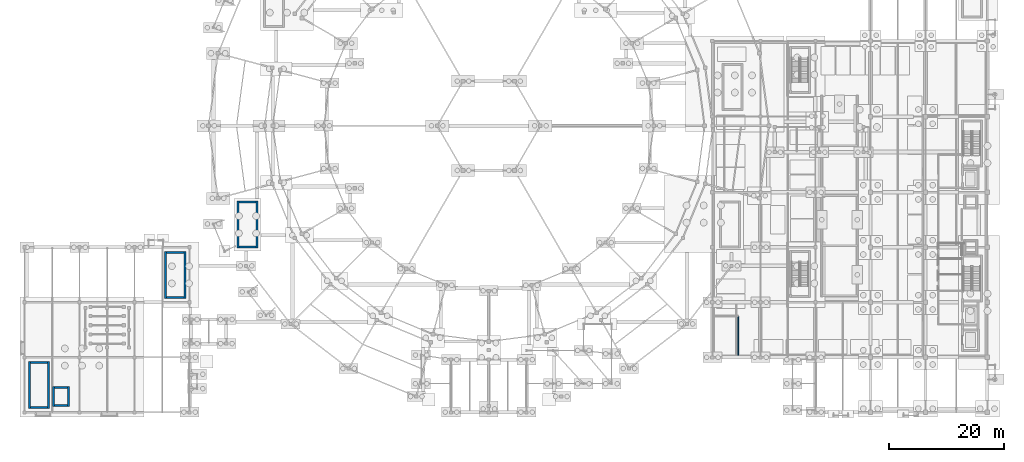
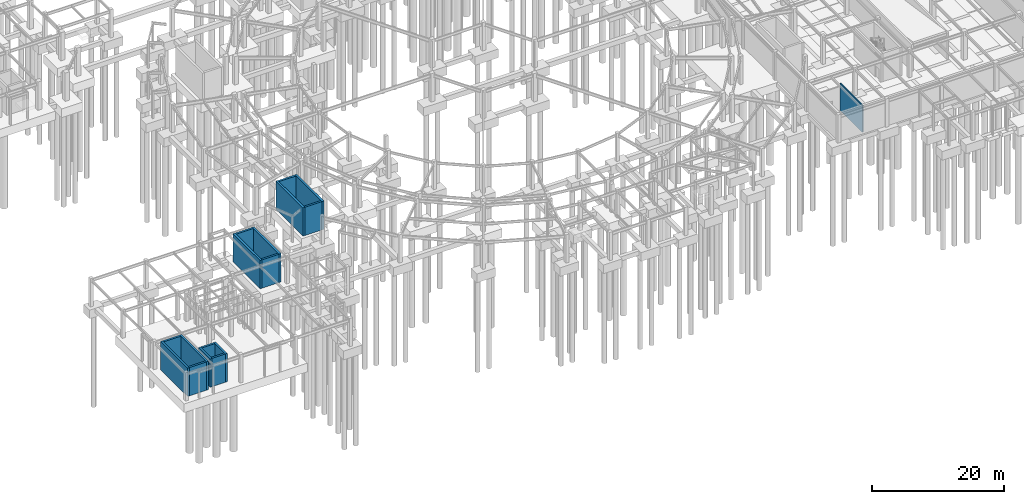
# One storey, part 45 of 55: 17 walls.
"""IFC4 building model written with IfcOpenShell, lengths in metres."""

from ifc_helpers import new_model, si_unit, direction, frame, frame_2d, origin, place, context, subcontext, project, spatial, rectangle, extrude, material, layer, layer_set, type_object, element, save


model = new_model("IFC4")

# Units and contexts
model_context = context("Model", 3, precision=1e-05, world=origin(), true_north=direction((0.0, 1.0)))
body_context = subcontext(model_context, "Body", "Model", "MODEL_VIEW")
ifc_project = project(units=[si_unit("LENGTHUNIT", "METRE"), si_unit("AREAUNIT", "SQUARE_METRE"), si_unit("VOLUMEUNIT", "CUBIC_METRE"), si_unit("PLANEANGLEUNIT", "RADIAN"), si_unit("MASSUNIT", "GRAM", prefix="KILO")], contexts=[model_context])

# Site, building, storey
site_placement = place(None, origin())
site = spatial("IfcSite", under=ifc_project, at=site_placement, CompositionType="ELEMENT")
building_placement = place(site_placement, origin())
building = spatial("IfcBuilding", under=site, at=building_placement, Name="Almandine Court Research Institute", CompositionType="ELEMENT")
storey_placement = place(building_placement, frame((0.0, 0.0, -5.25)))
storey = spatial("IfcBuildingStorey", under=building, at=storey_placement, Name="B1", CompositionType="ELEMENT", Elevation=-5.25)

# Walls
ifc_material_1 = material(Name="Two-Hour Fire-Barrier Enclosure Wall")
ifc_layer_1 = layer(ifc_material_1, 0.199951171875)
ifc_layer_set_1 = layer_set([ifc_layer_1], Name="Two-Hour Fire-Barrier Enclosure Wall")
wall_type_1 = type_object("IfcWallType", Name="Wall-FIRE-200", PredefinedType="SOLIDWALL", material=ifc_layer_set_1)
wall_1_placement = place(storey_placement, frame((130.5, 16.0, 0.0), z_axis=(0.0, 0.0, 1.0), x_axis=(0.0, 1.0, 0.0)))
element("IfcWall", 1, at=wall_1_placement, inside=storey, type_object=wall_type_1, Name="B1 Interior Partition W-B1-BICY-E", PredefinedType="SOLIDWALL", context=body_context, shape_type="SweptSolid", body=[
    extrude(rectangle(XDim=6.800048828125, YDim=0.199951171875, at=frame_2d((3.39990234375, 0.0))), origin(), (0.0, 0.0, 1.0), 5.0),
])
ifc_material_2 = material(Name="Concrete C40/50", Category="concrete")
ifc_layer_2 = layer(ifc_material_2, 0.35009765625)
ifc_layer_set_2 = layer_set([ifc_layer_2], Name="Concrete C40/50")
wall_type_2 = type_object("IfcWallType", Name="Wall-SW-CORE-350", PredefinedType="SHEAR", material=ifc_layer_set_2)
wall_2_placement = place(storey_placement, frame((6.824951171875, 6.64990234375, 0.0), z_axis=(0.0, 0.0, 1.0), x_axis=(0.0, 1.0, 0.0)))
element("IfcWall", 2, at=wall_2_placement, inside=storey, type_object=wall_type_2, Name="B1 ST-01 Substructure W Shear Wall", PredefinedType="SHEAR", context=body_context, shape_type="SweptSolid", body=[
    extrude(rectangle(XDim=8.2001953125, YDim=0.35009765625, at=frame_2d((4.10009765625, 0.0))), origin(), (0.0, 0.0, 1.0), 5.25),
])
wall_3_placement = place(storey_placement, frame((7.0, 14.675048828125, 0.0), z_axis=(0.0, 0.0, 1.0), x_axis=(1.0, 0.0, 0.0)))
element("IfcWall", 3, at=wall_3_placement, inside=storey, type_object=wall_type_2, Name="B1 ST-01 Substructure N Shear Wall", PredefinedType="SHEAR", context=body_context, shape_type="SweptSolid", body=[
    extrude(rectangle(XDim=3.0, YDim=0.35009765625, at=frame_2d((1.5, 0.0))), origin(), (0.0, 0.0, 1.0), 5.25),
])
wall_4_placement = place(storey_placement, frame((10.175048828125, 14.85009765625, 0.0), z_axis=(0.0, 0.0, 1.0), x_axis=(0.0, -1.0, 0.0)))
element("IfcWall", 4, at=wall_4_placement, inside=storey, type_object=wall_type_2, Name="B1 ST-01 Substructure E Shear Wall", PredefinedType="SHEAR", context=body_context, shape_type="SweptSolid", body=[
    extrude(rectangle(XDim=8.2001953125, YDim=0.35009765625, at=frame_2d((4.10009765625, 0.0))), origin(), (0.0, 0.0, 1.0), 5.25),
])
wall_5_placement = place(storey_placement, frame((10.0, 6.824951171875, 0.0), z_axis=(0.0, 0.0, 1.0), x_axis=(-1.0, 0.0, 0.0)))
element("IfcWall", 5, at=wall_5_placement, inside=storey, type_object=wall_type_2, Name="B1 ST-01 Substructure S Shear Wall", PredefinedType="SHEAR", context=body_context, shape_type="SweptSolid", body=[
    extrude(rectangle(XDim=3.0, YDim=0.35009765625, at=frame_2d((1.5, 0.0))), origin(), (0.0, 0.0, 1.0), 5.25),
])
wall_6_placement = place(storey_placement, frame((30.625, 25.85009765625, 0.0), z_axis=(0.0, 0.0, 1.0), x_axis=(0.0, 1.0, 0.0)))
element("IfcWall", 6, at=wall_6_placement, inside=storey, type_object=wall_type_2, Name="B1 ST-02 Substructure W Shear Wall", PredefinedType="SHEAR", context=body_context, shape_type="SweptSolid", body=[
    extrude(rectangle(XDim=8.199951171875, YDim=0.35009765625, at=frame_2d((4.10009765625, 0.0))), origin(), (0.0, 0.0, 1.0), 5.25),
])
wall_7_placement = place(storey_placement, frame((30.800048828125, 33.875, 0.0), z_axis=(0.0, 0.0, 1.0), x_axis=(1.0, 0.0, 0.0)))
element("IfcWall", 7, at=wall_7_placement, inside=storey, type_object=wall_type_2, Name="B1 ST-02 Substructure N Shear Wall", PredefinedType="SHEAR", context=body_context, shape_type="SweptSolid", body=[
    extrude(rectangle(XDim=3.0, YDim=0.35009765625, at=frame_2d((1.5, 0.0))), origin(), (0.0, 0.0, 1.0), 5.25),
])
wall_8_placement = place(storey_placement, frame((33.97509765625, 34.050048828125, 0.0), z_axis=(0.0, 0.0, 1.0), x_axis=(0.0, -1.0, 0.0)))
element("IfcWall", 8, at=wall_8_placement, inside=storey, type_object=wall_type_2, Name="B1 ST-02 Substructure E Shear Wall", PredefinedType="SHEAR", context=body_context, shape_type="SweptSolid", body=[
    extrude(rectangle(XDim=8.199951171875, YDim=0.35009765625, at=frame_2d((4.10009765625, 0.0))), origin(), (0.0, 0.0, 1.0), 5.25),
])
wall_9_placement = place(storey_placement, frame((33.800048828125, 26.02490234375, 0.0), z_axis=(0.0, 0.0, 1.0), x_axis=(-1.0, 0.0, 0.0)))
element("IfcWall", 9, at=wall_9_placement, inside=storey, type_object=wall_type_2, Name="B1 ST-02 Substructure S Shear Wall", PredefinedType="SHEAR", context=body_context, shape_type="SweptSolid", body=[
    extrude(rectangle(XDim=3.0, YDim=0.35009765625, at=frame_2d((1.5, 0.0))), origin(), (0.0, 0.0, 1.0), 5.25),
])
wall_10_placement = place(storey_placement, frame((43.22509765625, 34.64990234375, 0.0), z_axis=(0.0, 0.0, 1.0), x_axis=(0.0, 1.0, 0.0)))
element("IfcWall", 10, at=wall_10_placement, inside=storey, type_object=wall_type_2, Name="B1 ST-17 Substructure W Shear Wall", PredefinedType="SHEAR", context=body_context, shape_type="SweptSolid", body=[
    extrude(rectangle(XDim=8.2001953125, YDim=0.35009765625, at=frame_2d((4.10009765625, 0.0))), origin(), (0.0, 0.0, 1.0), 5.25),
])
wall_11_placement = place(storey_placement, frame((43.39990234375, 42.675048828125, 0.0), z_axis=(0.0, 0.0, 1.0), x_axis=(1.0, 0.0, 0.0)))
element("IfcWall", 11, at=wall_11_placement, inside=storey, type_object=wall_type_2, Name="B1 ST-17 Substructure N Shear Wall", PredefinedType="SHEAR", context=body_context, shape_type="SweptSolid", body=[
    extrude(rectangle(XDim=3.0, YDim=0.35009765625, at=frame_2d((1.5, 0.0))), origin(), (0.0, 0.0, 1.0), 5.25),
])
wall_12_placement = place(storey_placement, frame((46.574951171875, 42.85009765625, 0.0), z_axis=(0.0, 0.0, 1.0), x_axis=(0.0, -1.0, 0.0)))
element("IfcWall", 12, at=wall_12_placement, inside=storey, type_object=wall_type_2, Name="B1 ST-17 Substructure E Shear Wall", PredefinedType="SHEAR", context=body_context, shape_type="SweptSolid", body=[
    extrude(rectangle(XDim=8.2001953125, YDim=0.35009765625, at=frame_2d((4.10009765625, 0.0))), origin(), (0.0, 0.0, 1.0), 5.25),
])
wall_13_placement = place(storey_placement, frame((46.39990234375, 34.824951171875, 0.0), z_axis=(0.0, 0.0, 1.0), x_axis=(-1.0, 0.0, 0.0)))
element("IfcWall", 13, at=wall_13_placement, inside=storey, type_object=wall_type_2, Name="B1 ST-17 Substructure S Shear Wall", PredefinedType="SHEAR", context=body_context, shape_type="SweptSolid", body=[
    extrude(rectangle(XDim=3.0, YDim=0.35009765625, at=frame_2d((1.5, 0.0))), origin(), (0.0, 0.0, 1.0), 5.25),
])
wall_14_placement = place(storey_placement, frame((11.02490234375, 7.050048828125, 0.0), z_axis=(0.0, 0.0, 1.0), x_axis=(0.0, 1.0, 0.0)))
element("IfcWall", 14, at=wall_14_placement, inside=storey, type_object=wall_type_2, Name="B1 PL-01 Substructure W Shear Wall", PredefinedType="SHEAR", context=body_context, shape_type="SweptSolid", body=[
    extrude(rectangle(XDim=3.5, YDim=0.35009765625, at=frame_2d((1.75, 0.0))), origin(), (0.0, 0.0, 1.0), 5.25),
])
wall_15_placement = place(storey_placement, frame((11.199951171875, 10.375, 0.0), z_axis=(0.0, 0.0, 1.0), x_axis=(1.0, 0.0, 0.0)))
element("IfcWall", 15, at=wall_15_placement, inside=storey, type_object=wall_type_2, Name="B1 PL-01 Substructure N Shear Wall", PredefinedType="SHEAR", context=body_context, shape_type="SweptSolid", body=[
    extrude(rectangle(XDim=2.300048828125, YDim=0.35009765625, at=frame_2d((1.14990234375, 0.0))), origin(), (0.0, 0.0, 1.0), 5.25),
])
wall_16_placement = place(storey_placement, frame((13.675048828125, 10.550048828125, 0.0), z_axis=(0.0, 0.0, 1.0), x_axis=(0.0, -1.0, 0.0)))
element("IfcWall", 16, at=wall_16_placement, inside=storey, type_object=wall_type_2, Name="B1 PL-01 Substructure E Shear Wall", PredefinedType="SHEAR", context=body_context, shape_type="SweptSolid", body=[
    extrude(rectangle(XDim=3.5, YDim=0.35009765625, at=frame_2d((1.75, 0.0))), origin(), (0.0, 0.0, 1.0), 5.25),
])
wall_17_placement = place(storey_placement, frame((13.5, 7.22509765625, 0.0), z_axis=(0.0, 0.0, 1.0), x_axis=(-1.0, 0.0, 0.0)))
element("IfcWall", 17, at=wall_17_placement, inside=storey, type_object=wall_type_2, Name="B1 PL-01 Substructure S Shear Wall", PredefinedType="SHEAR", context=body_context, shape_type="SweptSolid", body=[
    extrude(rectangle(XDim=2.300048828125, YDim=0.35009765625, at=frame_2d((1.14990234375, 0.0))), origin(), (0.0, 0.0, 1.0), 5.25),
])

save(model, "model.ifc")
